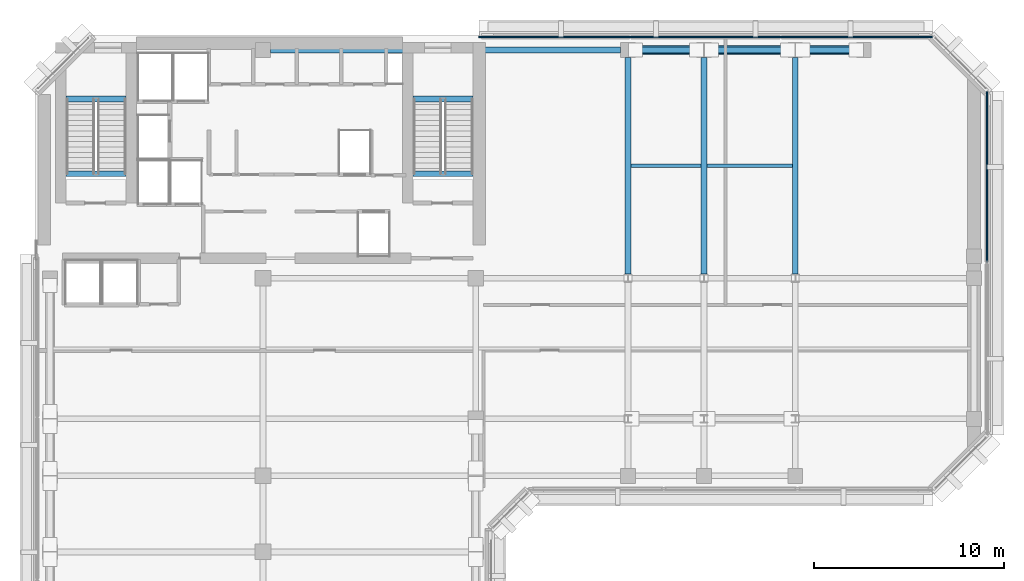
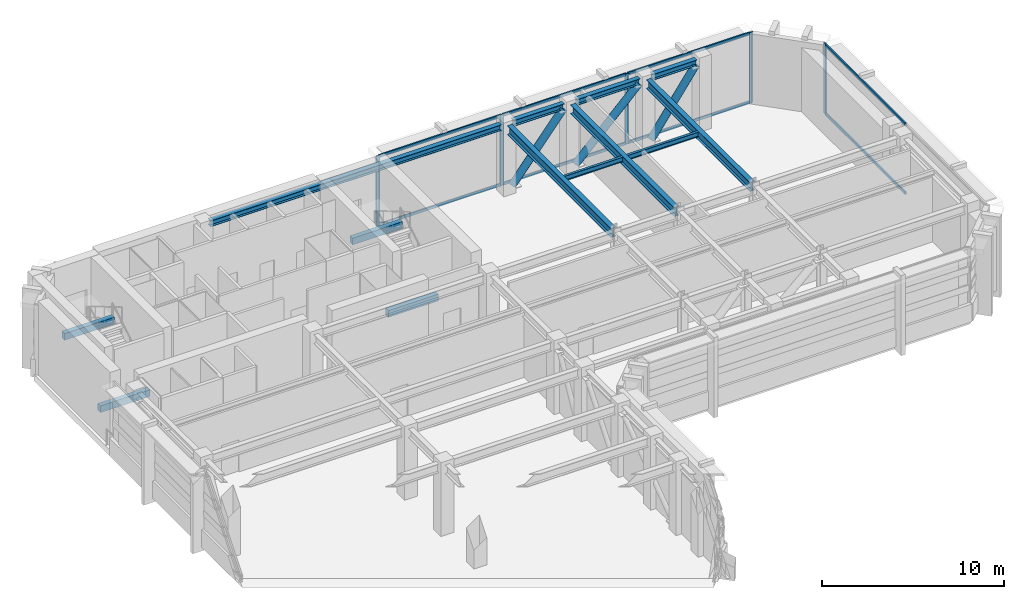
# One storey, part 4 of 11: 16 members, 13 beams, 2 elements without a shape of their own.
"""IFC4 building model written with IfcOpenShell, lengths in metres."""

import ifcopenshell
import ifcopenshell.guid

model = None  # the IFC model being written
_history = None  # IfcOwnerHistory: only IFC2X3 demands one
_inside = {}  # id of a spatial element -> (the spatial element, [elements in it])
_under = {}  # id of a project, library or spatial element -> (it, [spatial elements below it])
_declared = {}  # id of a project -> (the project, [libraries it declares])
_typed = {}  # id of a type object -> (the type object, [elements of that type])
_made_of = {}  # id of a material, layer set ... -> (it, [elements and type objects made of it])


def new_model(schema):
    """Start an empty IFC model of exactly this schema.

    Asked for "IFC4X3", IfcOpenShell would pick the latest addendum, in which some entities
    have other attributes; the version numbers below select the first issue.
    IFC2X3 requires an IfcOwnerHistory on every rooted entity: one is made here for all.
    """
    global model, _history
    if schema == "IFC4X3":
        model = ifcopenshell.file(schema_version=(4, 3, 0, 0))
    else:
        model = ifcopenshell.file(schema=schema)
    _inside.clear()
    _under.clear()
    _declared.clear()
    _typed.clear()
    _made_of.clear()
    _history = None
    if model.schema == "IFC2X3":
        org = make("IfcOrganization", Name="unknown")
        user = make(
            "IfcPersonAndOrganization",
            ThePerson=make("IfcPerson", FamilyName="unknown"),
            TheOrganization=org,
        )
        app = make(
            "IfcApplication",
            ApplicationDeveloper=org,
            Version="unknown",
            ApplicationFullName="unknown",
            ApplicationIdentifier="unknown",
        )
        _history = make(
            "IfcOwnerHistory",
            OwningUser=user,
            OwningApplication=app,
            ChangeAction="ADDED",
            CreationDate=0,
        )
    return model


def make(cls, **values):
    """One entity of the class cls with the attributes given. An attribute that is None is left unset."""
    return model.create_entity(
        cls, **{name: value for name, value in values.items() if value is not None}
    )


def rooted(cls, **values):
    """An entity with a GlobalId (a new one), such as an element, a storey or a relation."""
    return make(cls, GlobalId=ifcopenshell.guid.new(), OwnerHistory=_history, **values)


def si_unit(unit_type, name, prefix=None):
    """IfcSIUnit, for example si_unit("LENGTHUNIT", "METRE", prefix="MILLI")."""
    return make("IfcSIUnit", UnitType=unit_type, Prefix=prefix, Name=name)


def assignment(units):
    """IfcUnitAssignment: the units of a project."""
    return None if units is None else make("IfcUnitAssignment", Units=units)


def point(xyz):
    """IfcCartesianPoint."""
    return None if xyz is None else make("IfcCartesianPoint", Coordinates=xyz)


def direction(xyz):
    """IfcDirection."""
    return None if xyz is None else make("IfcDirection", DirectionRatios=xyz)


def frame(location, z_axis=None, x_axis=None):
    """IfcAxis2Placement3D, a coordinate frame: its origin and axes. An axis left out is left unset."""
    return make(
        "IfcAxis2Placement3D",
        Location=point(location),
        Axis=direction(z_axis),
        RefDirection=direction(x_axis),
    )


def frame_2d(location, x_axis=None):
    """IfcAxis2Placement2D, a coordinate frame in the plane: its origin and x axis."""
    return make(
        "IfcAxis2Placement2D", Location=point(location), RefDirection=direction(x_axis)
    )


def origin():
    """The frame at (0, 0, 0) with its axes left unset."""
    return frame((0.0, 0.0, 0.0))


def origin_2d():
    """The frame at (0, 0) in the plane with its x axis left unset."""
    return frame_2d((0.0, 0.0))


def place(relative_to, where):
    """IfcLocalPlacement: puts the frame where relative to a parent placement (None: the world)."""
    return make(
        "IfcLocalPlacement", PlacementRelTo=relative_to, RelativePlacement=where
    )


def context(
    kind, dimensions, precision=None, world=None, true_north=None, identifier=None
):
    """IfcGeometricRepresentationContext, for example the 3D "Model" context."""
    return make(
        "IfcGeometricRepresentationContext",
        ContextIdentifier=identifier,
        ContextType=kind,
        CoordinateSpaceDimension=dimensions,
        Precision=precision,
        WorldCoordinateSystem=world,
        TrueNorth=true_north,
    )


def subcontext(parent, identifier, kind, view, scale=None):
    """IfcGeometricRepresentationSubContext, for example "Body" below "Model"."""
    return make(
        "IfcGeometricRepresentationSubContext",
        ContextIdentifier=identifier,
        ContextType=kind,
        ParentContext=parent,
        TargetScale=scale,
        TargetView=view,
    )


def project(units=None, contexts=None):
    """IfcProject with its units and contexts."""
    return rooted(
        "IfcProject",
        Name="project",
        RepresentationContexts=contexts,
        UnitsInContext=assignment(units),
    )


def spatial(cls, under=None, at=None, **own):
    """A site, building, storey or space (cls), placed at a placement, below another one or the project."""
    s = rooted(cls, ObjectPlacement=at, **own)
    if under is not None:
        _under.setdefault(under.id(), (under, []))[1].append(s)
    return s


def profile(cls, at=None, kind="AREA", **sizes):
    """A parametric profile (cls). Its sizes go by their IFC names, for example OverallWidth=200.0."""
    return make(cls, ProfileType=kind, Position=at, **sizes)


def rectangle(**sizes):
    """IfcRectangleProfileDef."""
    return profile("IfcRectangleProfileDef", **sizes)


def hollow_circle(**sizes):
    """IfcCircleHollowProfileDef."""
    return profile("IfcCircleHollowProfileDef", **sizes)


def i_section(**sizes):
    """IfcIShapeProfileDef."""
    return profile("IfcIShapeProfileDef", **sizes)


def extrude(swept, where, along, depth):
    """IfcExtrudedAreaSolid: the profile swept, set in the frame where, extruded along a direction by depth."""
    return make(
        "IfcExtrudedAreaSolid",
        SweptArea=swept,
        Position=where,
        ExtrudedDirection=direction(along),
        Depth=depth,
    )


def shape(context_of_items, identifier, shape_type, items):
    """IfcShapeRepresentation: the items that make up one representation, for example the "Body"."""
    return make(
        "IfcShapeRepresentation",
        ContextOfItems=context_of_items,
        RepresentationIdentifier=identifier,
        RepresentationType=shape_type,
        Items=items,
    )


def material(Name=None, Category=None):
    """IfcMaterial."""
    return make("IfcMaterial", Name=Name, Category=Category)


def layer(
    of_material, thickness, ventilated=None, Name=None, Category=None, Priority=None
):
    """IfcMaterialLayer: one layer of a wall or slab, of a material (None: an air gap)."""
    return make(
        "IfcMaterialLayer",
        Material=of_material,
        LayerThickness=thickness,
        IsVentilated=ventilated,
        Name=Name,
        Category=Category,
        Priority=Priority,
    )


def layer_set(layers, Name=None):
    """IfcMaterialLayerSet."""
    return make("IfcMaterialLayerSet", MaterialLayers=layers, LayerSetName=Name)


def material_profile(
    of_material, cross_section, Name=None, Category=None, Priority=None
):
    """IfcMaterialProfile: a cross section and its material."""
    return make(
        "IfcMaterialProfile",
        Name=Name,
        Material=of_material,
        Profile=cross_section,
        Priority=Priority,
        Category=Category,
    )


def profile_set(profiles, Name=None, composite=None):
    """IfcMaterialProfileSet."""
    return make(
        "IfcMaterialProfileSet",
        Name=Name,
        MaterialProfiles=profiles,
        CompositeProfile=composite,
    )


def made_of(thing, what):
    """Note that an element or type object is made of a material, layer set ...; save() writes the relation."""
    if what is not None:
        _made_of.setdefault(what.id(), (what, []))[1].append(thing)
    return thing


def type_object(cls, material=None, **own):
    """A type object (cls), such as IfcWallType, which elements share."""
    return made_of(rooted(cls, **own), material)


def element(
    cls,
    number,
    at=None,
    inside=None,
    cuts=None,
    type_object=None,
    material=None,
    context=None,
    identifier="Body",
    shape_type=None,
    held_by="IfcProductDefinitionShape",
    body=None,
    shapes=None,
    **own,
):
    """One element of the class cls, such as IfcWall. Its Tag is "e" and its number.

    at: its placement. inside: the storey or other place that contains it. cuts: it is an
    opening in that element (IfcRelVoidsElement). A single representation is given by context,
    identifier, shape_type and body (its items); several are given by shapes. held_by: the class
    of the entity that holds the representations. save() writes the other relations.
    """
    e = rooted(cls, Tag="e%d" % number, ObjectPlacement=at, **own)
    if body is not None:
        shapes = [shape(context, identifier, shape_type, body)]
    if shapes is not None:
        e.Representation = make(held_by, Representations=shapes)
    if inside is not None:
        _inside.setdefault(inside.id(), (inside, []))[1].append(e)
    if cuts is not None:
        rooted(
            "IfcRelVoidsElement", RelatingBuildingElement=cuts, RelatedOpeningElement=e
        )
    if type_object is not None:
        _typed.setdefault(type_object.id(), (type_object, []))[1].append(e)
    return made_of(e, material)


def aggregate(whole, parts):
    """IfcRelAggregates: a whole, such as a stair, and the parts it consists of."""
    return rooted("IfcRelAggregates", RelatingObject=whole, RelatedObjects=parts)


def save(model, path):
    """Write the relations noted so far, then the file.

    IfcRelAggregates (storeys below a building ...), IfcRelContainedInSpatialStructure (elements
    in a storey), IfcRelDefinesByType, IfcRelAssociatesMaterial and IfcRelDeclares: one each for
    every whole, place, type object, material and project.
    """
    for whole, parts in _under.values():
        aggregate(whole, parts)
    for where, things in _inside.values():
        rooted(
            "IfcRelContainedInSpatialStructure",
            RelatedElements=things,
            RelatingStructure=where,
        )
    for kind, things in _typed.values():
        rooted("IfcRelDefinesByType", RelatedObjects=things, RelatingType=kind)
    for what, things in _made_of.values():
        rooted("IfcRelAssociatesMaterial", RelatedObjects=things, RelatingMaterial=what)
    for by, libraries in _declared.values():
        rooted("IfcRelDeclares", RelatingContext=by, RelatedDefinitions=libraries)
    model.write(path)


model = new_model("IFC4")

# Units and contexts
model_context = context("Model", 3, precision=1e-05, world=origin(), true_north=direction((0.0, 1.0)))
body_context = subcontext(model_context, "Body", "Model", "MODEL_VIEW")
ifc_project = project(units=[si_unit("LENGTHUNIT", "METRE"), si_unit("AREAUNIT", "SQUARE_METRE"), si_unit("VOLUMEUNIT", "CUBIC_METRE"), si_unit("PLANEANGLEUNIT", "RADIAN"), si_unit("MASSUNIT", "GRAM", prefix="KILO")], contexts=[model_context])

# Site, building, storey
site_placement = place(None, origin())
site = spatial("IfcSite", under=ifc_project, at=site_placement, CompositionType="ELEMENT")
building_placement = place(site_placement, origin())
building = spatial("IfcBuilding", under=site, at=building_placement, Name="Kefirva Bronze Tower", CompositionType="ELEMENT")
storey_placement = place(building_placement, frame((0.0, 0.0, 251.4599609375)))
storey = spatial("IfcBuildingStorey", under=building, at=storey_placement, Name="L61", CompositionType="ELEMENT", Elevation=251.4599609375)

# Curtain wall, member
ifc_material_1 = material(Name="Bronze anodised aluminium", Category="aluminium")
ifc_layer = layer(ifc_material_1, 0.219970703125, Name="Bronze anodised aluminium")
ifc_layer_set = layer_set([ifc_layer], Name="Bronze anodised aluminium")
curtain_wall_type = type_object("IfcCurtainWallType", Name="Refuge Acoustic Louvre Curtain Screen", PredefinedType="USERDEFINED", material=ifc_layer_set)
curtain_wall_1_placement = place(storey_placement, origin())
curtain_wall_1 = element("IfcCurtainWall", 1, at=curtain_wall_1_placement, inside=storey, type_object=curtain_wall_type, Name="L61 Curtain Wall 3", ObjectType="LOUVRE SCREEN WALL", PredefinedType="USERDEFINED")
ifc_material_profile_1 = material_profile(ifc_material_1, rectangle(XDim=0.090087890625, YDim=0.219970703125, at=origin_2d()), Name="ALU 90x220")
ifc_profile_set_1 = profile_set([ifc_material_profile_1], Name="Bronze anodised aluminium")
member_type_1 = type_object("IfcMemberType", Name="Bronze Mullion 90x220", PredefinedType="MULLION", material=ifc_profile_set_1)
member_1_placement = place(storey_placement, frame((50.080078125, 42.89990234375, 0.0), z_axis=(0.0, 0.0, 1.0), x_axis=(-1.0, 0.0, 0.0)))
member_1 = element("IfcMember", 2, at=member_1_placement, type_object=member_type_1, Name="CW-06 mullion 3", PredefinedType="MULLION", context=body_context, shape_type="SweptSolid", body=[
    extrude(rectangle(XDim=0.090087890625, YDim=0.219970703125, at=origin_2d()), origin(), (0.0, 0.0, 1.0), 4.699951171875),
])

# Curtain wall, members
curtain_wall_2_placement = place(storey_placement, origin())
curtain_wall_2 = element("IfcCurtainWall", 3, at=curtain_wall_2_placement, inside=storey, type_object=curtain_wall_type, Name="L61 Curtain Wall 4", ObjectType="LOUVRE SCREEN WALL", PredefinedType="USERDEFINED")
member_2_placement = place(storey_placement, frame((47.10009765625, 45.8798828125, 0.0), z_axis=(0.0, 0.0, 1.0), x_axis=(0.0, -1.0, 0.0)))
member_2 = element("IfcMember", 4, at=member_2_placement, type_object=member_type_1, Name="CW-06 mullion 1", PredefinedType="MULLION", context=body_context, shape_type="SweptSolid", body=[
    extrude(rectangle(XDim=0.090087890625, YDim=0.219970703125, at=origin_2d()), origin(), (0.0, 0.0, 1.0), 4.699951171875),
])
member_3_placement = place(storey_placement, frame((39.231689453125, 45.8798828125, 0.0), z_axis=(0.0, 0.0, 1.0), x_axis=(0.0, -1.0, 0.0)))
member_3 = element("IfcMember", 5, at=member_3_placement, type_object=member_type_1, Name="CW-06 mullion 2", PredefinedType="MULLION", context=body_context, shape_type="SweptSolid", body=[
    extrude(rectangle(XDim=0.090087890625, YDim=0.219970703125, at=origin_2d()), origin(), (0.0, 0.0, 1.0), 4.699951171875),
])
member_4_placement = place(storey_placement, frame((31.318359375, 45.8798828125, 0.0), z_axis=(0.0, 0.0, 1.0), x_axis=(0.0, -1.0, 0.0)))
member_4 = element("IfcMember", 6, at=member_4_placement, type_object=member_type_1, Name="CW-06 mullion 3", PredefinedType="MULLION", context=body_context, shape_type="SweptSolid", body=[
    extrude(rectangle(XDim=0.090087890625, YDim=0.219970703125, at=origin_2d()), origin(), (0.0, 0.0, 1.0), 4.699951171875),
])
member_5_placement = place(storey_placement, frame((23.449951171875, 45.8798828125, 0.0), z_axis=(0.0, 0.0, 1.0), x_axis=(0.0, -1.0, 0.0)))
member_5 = element("IfcMember", 7, at=member_5_placement, type_object=member_type_1, Name="CW-06 mullion 4", PredefinedType="MULLION", context=body_context, shape_type="SweptSolid", body=[
    extrude(rectangle(XDim=0.090087890625, YDim=0.219970703125, at=origin_2d()), origin(), (0.0, 0.0, 1.0), 4.699951171875),
])

# Member
ifc_material_profile_2 = material_profile(ifc_material_1, rectangle(XDim=0.090087890625, YDim=0.179931640625, at=origin_2d()), Name="ALU 90x180")
ifc_profile_set_2 = profile_set([ifc_material_profile_2], Name="Bronze anodised aluminium")
member_type_2 = type_object("IfcMemberType", Name="Bronze Transom 90x180", PredefinedType="USERDEFINED", material=ifc_profile_set_2)
member_6_placement = place(storey_placement, frame((50.080078125, 34.044921875, 0.044921875), z_axis=(0.0, 1.0, 0.0), x_axis=(-1.0, 0.0, 0.0)))
member_6 = element("IfcMember", 8, at=member_6_placement, type_object=member_type_2, Name="CW-06 transom 2.1", ObjectType="TRANSOM", PredefinedType="USERDEFINED", context=body_context, shape_type="SweptSolid", body=[
    extrude(rectangle(XDim=0.090087890625, YDim=0.179931640625, at=origin_2d()), origin(), (0.0, 0.0, 1.0), 8.81005859375),
])

member_7_placement = place(storey_placement, frame((50.080078125, 34.044921875, 4.655029296875), z_axis=(0.0, 1.0, 0.0), x_axis=(-1.0, 0.0, 0.0)))
member_7 = element("IfcMember", 9, at=member_7_placement, type_object=member_type_2, Name="CW-06 transom 2.2", ObjectType="TRANSOM", PredefinedType="USERDEFINED", context=body_context, shape_type="SweptSolid", body=[
    extrude(rectangle(XDim=0.090087890625, YDim=0.179931640625, at=origin_2d()), origin(), (0.0, 0.0, 1.0), 8.81005859375),
])

aggregate(curtain_wall_1, [member_1, member_6, member_7])

member_8_placement = place(storey_placement, frame((47.054931640625, 45.8798828125, 0.044921875), z_axis=(-1.0, 0.0, 0.0), x_axis=(0.0, -1.0, 0.0)))
member_8 = element("IfcMember", 10, at=member_8_placement, type_object=member_type_2, Name="CW-06 transom 1.1", ObjectType="TRANSOM", PredefinedType="USERDEFINED", context=body_context, shape_type="SweptSolid", body=[
    extrude(rectangle(XDim=0.090087890625, YDim=0.179931640625, at=origin_2d()), origin(), (0.0, 0.0, 1.0), 7.7783203125),
])

member_9_placement = place(storey_placement, frame((47.054931640625, 45.8798828125, 4.655029296875), z_axis=(-1.0, 0.0, 0.0), x_axis=(0.0, -1.0, 0.0)))
member_9 = element("IfcMember", 11, at=member_9_placement, type_object=member_type_2, Name="CW-06 transom 1.2", ObjectType="TRANSOM", PredefinedType="USERDEFINED", context=body_context, shape_type="SweptSolid", body=[
    extrude(rectangle(XDim=0.090087890625, YDim=0.179931640625, at=origin_2d()), origin(), (0.0, 0.0, 1.0), 7.7783203125),
])

member_10_placement = place(storey_placement, frame((39.186767578125, 45.8798828125, 0.044921875), z_axis=(-1.0, 0.0, 0.0), x_axis=(0.0, -1.0, 0.0)))
member_10 = element("IfcMember", 12, at=member_10_placement, type_object=member_type_2, Name="CW-06 transom 2.1", ObjectType="TRANSOM", PredefinedType="USERDEFINED", context=body_context, shape_type="SweptSolid", body=[
    extrude(rectangle(XDim=0.090087890625, YDim=0.179931640625, at=origin_2d()), origin(), (0.0, 0.0, 1.0), 7.823486328125),
])

member_11_placement = place(storey_placement, frame((39.186767578125, 45.8798828125, 4.655029296875), z_axis=(-1.0, 0.0, 0.0), x_axis=(0.0, -1.0, 0.0)))
member_11 = element("IfcMember", 13, at=member_11_placement, type_object=member_type_2, Name="CW-06 transom 2.2", ObjectType="TRANSOM", PredefinedType="USERDEFINED", context=body_context, shape_type="SweptSolid", body=[
    extrude(rectangle(XDim=0.090087890625, YDim=0.179931640625, at=origin_2d()), origin(), (0.0, 0.0, 1.0), 7.823486328125),
])

member_12_placement = place(storey_placement, frame((31.2734375, 45.8798828125, 0.044921875), z_axis=(-1.0, 0.0, 0.0), x_axis=(0.0, -1.0, 0.0)))
member_12 = element("IfcMember", 14, at=member_12_placement, type_object=member_type_2, Name="CW-06 transom 3.1", ObjectType="TRANSOM", PredefinedType="USERDEFINED", context=body_context, shape_type="SweptSolid", body=[
    extrude(rectangle(XDim=0.090087890625, YDim=0.179931640625, at=origin_2d()), origin(), (0.0, 0.0, 1.0), 7.7783203125),
])

member_13_placement = place(storey_placement, frame((31.2734375, 45.8798828125, 4.655029296875), z_axis=(-1.0, 0.0, 0.0), x_axis=(0.0, -1.0, 0.0)))
member_13 = element("IfcMember", 15, at=member_13_placement, type_object=member_type_2, Name="CW-06 transom 3.2", ObjectType="TRANSOM", PredefinedType="USERDEFINED", context=body_context, shape_type="SweptSolid", body=[
    extrude(rectangle(XDim=0.090087890625, YDim=0.179931640625, at=origin_2d()), origin(), (0.0, 0.0, 1.0), 7.7783203125),
])

aggregate(curtain_wall_2, [member_2, member_3, member_4, member_5, member_8, member_9, member_10, member_11, member_12, member_13])

# Beams
ifc_material_2 = material(Name="Concrete C50/60", Category="concrete")
ifc_material_profile_3 = material_profile(ifc_material_2, rectangle(XDim=0.300048828125, YDim=0.449951171875, at=origin_2d()), Name="RC 300x450")
ifc_profile_set_3 = profile_set([ifc_material_profile_3], Name="Concrete C50/60")
beam_type_1 = type_object("IfcBeamType", Name="RC Stair Trimmer Beam 300x450", PredefinedType="BEAM", material=ifc_profile_set_3)
for number, where, z_axis, x_axis, name in (
    (16, (1.64501953125, 38.699951171875, -0.224853515625), (1.0, 0.0, 0.0), (0.0, 1.0, 0.0), "L61 Stair 1 Landing Trimmer Beam"),
    (17, (1.64501953125, 42.6201171875, 2.25), (1.0, 0.0, 0.0), (0.0, 1.0, 0.0), "L61 Stair 1 Half-Landing Trimmer Beam"),
):
    element("IfcBeam", number, at=place(storey_placement, frame(where, z_axis=z_axis, x_axis=x_axis)), inside=storey, type_object=beam_type_1, Name=name, PredefinedType="BEAM", context=body_context, shape_type="SweptSolid", body=[
        extrude(rectangle(XDim=0.300048828125, YDim=0.449951171875, at=origin_2d()), origin(), (0.0, 0.0, 1.0), 3.14990234375),
    ])
for number, where, z_axis, x_axis, name in (
    (18, (19.89501953125, 38.699951171875, -0.224853515625), (1.0, 0.0, 0.0), (0.0, 1.0, 0.0), "L61 Stair 2 Landing Trimmer Beam"),
    (19, (19.89501953125, 42.6201171875, 2.25), (1.0, 0.0, 0.0), (0.0, 1.0, 0.0), "L61 Stair 2 Half-Landing Trimmer Beam"),
):
    element("IfcBeam", number, at=place(storey_placement, frame(where, z_axis=z_axis, x_axis=x_axis)), inside=storey, type_object=beam_type_1, Name=name, PredefinedType="BEAM", context=body_context, shape_type="SweptSolid", body=[
        extrude(rectangle(XDim=0.300048828125, YDim=0.449951171875, at=origin_2d()), origin(), (0.0, 0.0, 1.0), 3.159912109375),
    ])
ifc_material_3 = material(Name="Steel S355", Category="steel")
ifc_material_profile_4 = material_profile(ifc_material_3, i_section(OverallWidth=0.159912109375, OverallDepth=0.330078125, WebThickness=0.007568359375, FlangeThickness=0.011474609375, at=origin_2d()), Name="IPE 330")
ifc_profile_set_4 = profile_set([ifc_material_profile_4], Name="Steel S355")
beam_type_2 = type_object("IfcBeamType", Name="Steel Floor Joist IPE 330", PredefinedType="JOIST", material=ifc_profile_set_4)
beam_1_placement = place(storey_placement, frame((31.35009765625, 39.11376953125, 4.53515625), z_axis=(1.0, 0.0, 0.0), x_axis=(0.0, 1.0, 0.0)))
element("IfcBeam", 20, at=beam_1_placement, inside=storey, type_object=beam_type_2, Name="L61 JST-L61-31-391", PredefinedType="JOIST", context=body_context, shape_type="SweptSolid", body=[
    extrude(i_section(OverallWidth=0.159912109375, OverallDepth=0.330078125, WebThickness=0.007568359375, FlangeThickness=0.011474609375, at=origin_2d()), origin(), (0.0, 0.0, 1.0), 3.699951171875),
])
beam_2_placement = place(storey_placement, frame((35.35009765625, 39.11376953125, 4.53515625), z_axis=(1.0, 0.0, 0.0), x_axis=(0.0, 1.0, 0.0)))
element("IfcBeam", 21, at=beam_2_placement, inside=storey, type_object=beam_type_2, Name="L61 JST-L61-35-391", PredefinedType="JOIST", context=body_context, shape_type="SweptSolid", body=[
    extrude(i_section(OverallWidth=0.159912109375, OverallDepth=0.330078125, WebThickness=0.007568359375, FlangeThickness=0.011474609375, at=origin_2d()), origin(), (0.0, 0.0, 1.0), 4.5),
])
ifc_material_profile_5 = material_profile(ifc_material_3, i_section(OverallWidth=0.300048828125, OverallDepth=0.60009765625, WebThickness=0.015380859375, FlangeThickness=0.030029296875, at=origin_2d()), Name="HEB 600")
ifc_profile_set_5 = profile_set([ifc_material_profile_5], Name="Steel S355")
beam_type_3 = type_object("IfcBeamType", Name="Steel Girder HEB 600", PredefinedType="USERDEFINED", material=ifc_profile_set_5)
for number, where, z_axis, x_axis, name in (
    (22, (31.199951171875, 33.41748046875, 4.400146484375), (0.0, 1.0, 0.0), (-1.0, 0.0, 0.0), "L61 BM-L61-NS-312-33"),
    (23, (35.199951171875, 33.41748046875, 4.400146484375), (0.0, 1.0, 0.0), (-1.0, 0.0, 0.0), "L61 BM-L61-NS-352-33"),
    (24, (40.0, 33.41748046875, 4.400146484375), (0.0, 1.0, 0.0), (-1.0, 0.0, 0.0), "L61 BM-L61-NS-400-33"),
):
    element("IfcBeam", number, at=place(storey_placement, frame(where, z_axis=z_axis, x_axis=x_axis)), inside=storey, type_object=beam_type_3, Name=name, ObjectType="GIRDER", PredefinedType="USERDEFINED", context=body_context, shape_type="SweptSolid", body=[
        extrude(i_section(OverallWidth=0.300048828125, OverallDepth=0.60009765625, WebThickness=0.015380859375, FlangeThickness=0.030029296875, at=origin_2d()), origin(), (0.0, 0.0, 1.0), 11.392578125),
    ])

# Members
ifc_material_4 = material(Name="Steel S460", Category="steel")
ifc_material_profile_6 = material_profile(ifc_material_4, hollow_circle(Radius=0.228515625, WallThickness=0.01611328125, at=origin_2d()), Name="CHS 457x16")
ifc_profile_set_6 = profile_set([ifc_material_profile_6], Name="Steel S460")
member_type_3 = type_object("IfcMemberType", Name="Steel Portal Brace CHS 457x16", PredefinedType="BRACE", material=ifc_profile_set_6)
member_14_placement = place(storey_placement, frame((31.590087890625, 45.199951171875, 0.300048828125), z_axis=(0.627063590623, 0.0, 0.77896806951), x_axis=(0.0, 1.0, 0.0)))
element("IfcMember", 25, at=member_14_placement, inside=storey, type_object=member_type_3, Name="L61 Outrigger Belt Brace 10", PredefinedType="BRACE", context=body_context, shape_type="SweptSolid", body=[
    extrude(hollow_circle(Radius=0.228515625, WallThickness=0.01611328125, at=origin_2d()), origin(), (0.0, 0.0, 1.0), 5.135009765625),
])
member_15_placement = place(storey_placement, frame((35.590087890625, 45.199951171875, 0.300048828125), z_axis=(0.708869648999, 0.0, 0.705339507421), x_axis=(0.0, 1.0, 0.0)))
element("IfcMember", 26, at=member_15_placement, inside=storey, type_object=member_type_3, Name="L61 Outrigger Belt Brace 11", PredefinedType="BRACE", context=body_context, shape_type="SweptSolid", body=[
    extrude(hollow_circle(Radius=0.228515625, WallThickness=0.01611328125, at=origin_2d()), origin(), (0.0, 0.0, 1.0), 5.671142578125),
])
member_16_placement = place(storey_placement, frame((40.389892578125, 45.199951171875, 0.300048828125), z_axis=(0.57621110341, 0.0, 0.817300901937), x_axis=(0.0, 1.0, 0.0)))
element("IfcMember", 27, at=member_16_placement, inside=storey, type_object=member_type_3, Name="L61 Outrigger Belt Brace 12", PredefinedType="BRACE", context=body_context, shape_type="SweptSolid", body=[
    extrude(hollow_circle(Radius=0.228515625, WallThickness=0.01611328125, at=origin_2d()), origin(), (0.0, 0.0, 1.0), 4.89404296875),
])

# Beams
ifc_material_profile_7 = material_profile(ifc_material_3, i_section(OverallWidth=0.300048828125, OverallDepth=0.39990234375, WebThickness=0.013427734375, FlangeThickness=0.02392578125, at=origin_2d()), Name="HEB 400")
ifc_profile_set_7 = profile_set([ifc_material_profile_7], Name="Steel S355")
beam_type_4 = type_object("IfcBeamType", Name="Steel Spandrel HEB 400 Ext", PredefinedType="SPANDREL", material=ifc_profile_set_7)
beam_3_placement = place(storey_placement, frame((12.389892578125, 45.199951171875, 4.5), z_axis=(1.0, 0.0, 0.0), x_axis=(0.0, 1.0, 0.0)))
element("IfcBeam", 28, at=beam_3_placement, inside=storey, type_object=beam_type_4, Name="L61 BM-L61-EW-12-452", PredefinedType="SPANDREL", context=body_context, shape_type="SweptSolid", body=[
    extrude(i_section(OverallWidth=0.300048828125, OverallDepth=0.39990234375, WebThickness=0.013427734375, FlangeThickness=0.02392578125, at=origin_2d()), origin(), (0.0, 0.0, 1.0), 18.420166015625),
])
beam_4_placement = place(storey_placement, frame((31.590087890625, 45.199951171875, 4.5), z_axis=(1.0, 0.0, 0.0), x_axis=(0.0, 1.0, 0.0)))
element("IfcBeam", 29, at=beam_4_placement, inside=storey, type_object=beam_type_4, Name="L61 BM-L61-EW-31-452", PredefinedType="SPANDREL", context=body_context, shape_type="SweptSolid", body=[
    extrude(i_section(OverallWidth=0.300048828125, OverallDepth=0.39990234375, WebThickness=0.013427734375, FlangeThickness=0.02392578125, at=origin_2d()), origin(), (0.0, 0.0, 1.0), 3.219970703125),
])
beam_5_placement = place(storey_placement, frame((35.590087890625, 45.199951171875, 4.5), z_axis=(1.0, 0.0, 0.0), x_axis=(0.0, 1.0, 0.0)))
element("IfcBeam", 30, at=beam_5_placement, inside=storey, type_object=beam_type_4, Name="L61 BM-L61-EW-35-452", PredefinedType="SPANDREL", context=body_context, shape_type="SweptSolid", body=[
    extrude(i_section(OverallWidth=0.300048828125, OverallDepth=0.39990234375, WebThickness=0.013427734375, FlangeThickness=0.02392578125, at=origin_2d()), origin(), (0.0, 0.0, 1.0), 4.02001953125),
])
beam_6_placement = place(storey_placement, frame((40.389892578125, 45.199951171875, 4.5), z_axis=(1.0, 0.0, 0.0), x_axis=(0.0, 1.0, 0.0)))
element("IfcBeam", 31, at=beam_6_placement, inside=storey, type_object=beam_type_4, Name="L61 BM-L61-EW-40-452", PredefinedType="SPANDREL", context=body_context, shape_type="SweptSolid", body=[
    extrude(i_section(OverallWidth=0.300048828125, OverallDepth=0.39990234375, WebThickness=0.013427734375, FlangeThickness=0.02392578125, at=origin_2d()), origin(), (0.0, 0.0, 1.0), 2.820068359375),
])

save(model, "model.ifc")
